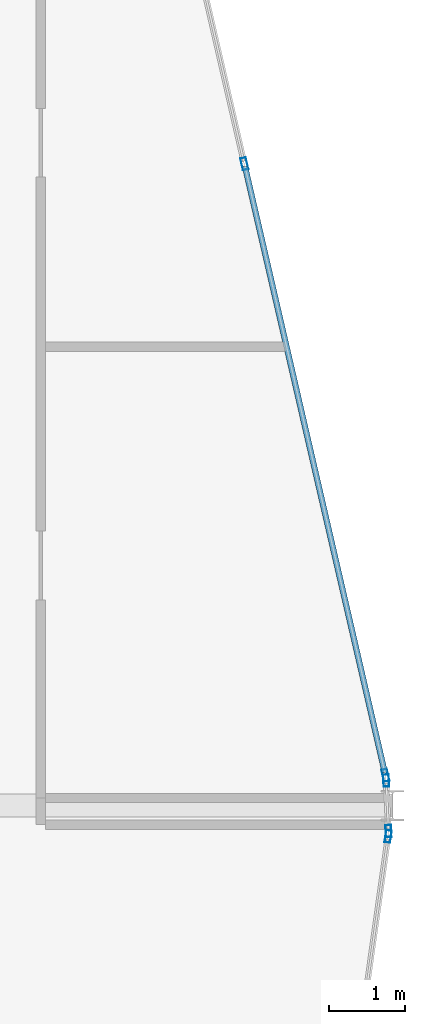
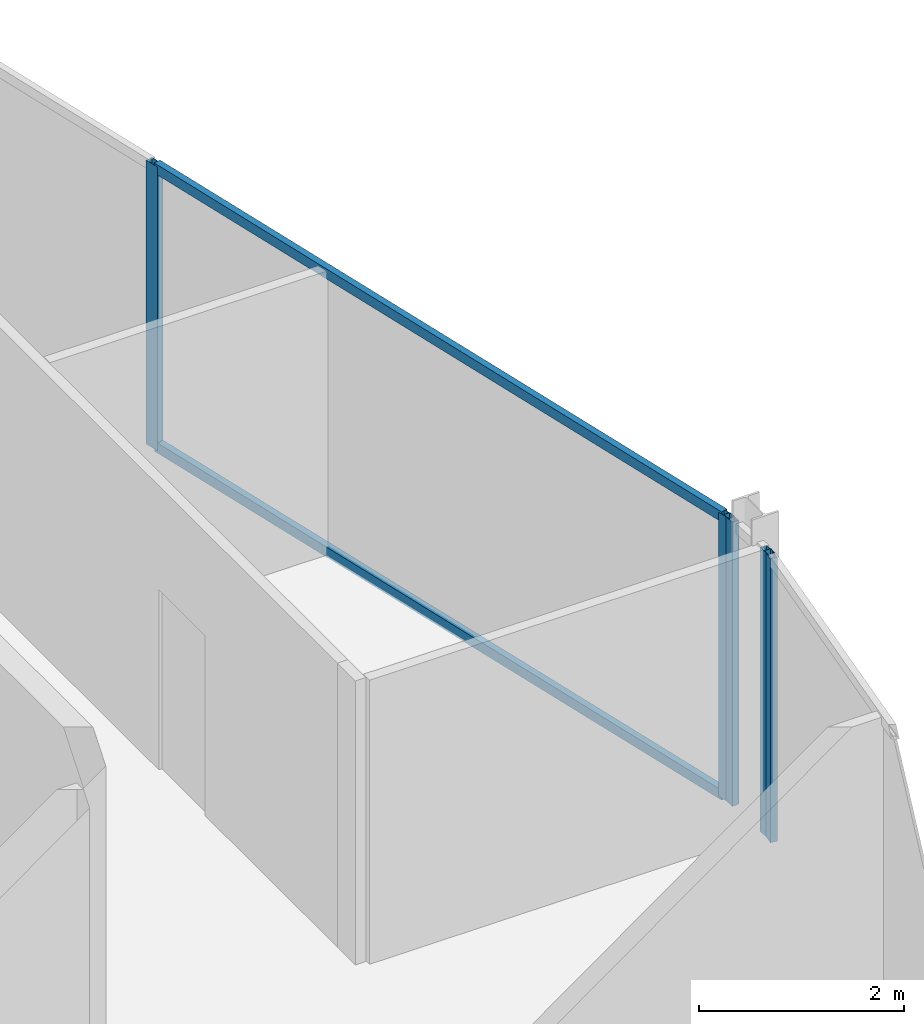
# One storey, part 14 of 27: 7 members, 3 elements without a shape of their own.
"""IFC4 building model written with IfcOpenShell, lengths in metres."""

from ifc_helpers import new_model, si_unit, direction, frame, origin, origin_2d, place, context, subcontext, project, spatial, hollow_rectangle, extrude, material, layer, layer_set, material_profile, profile_set, type_object, element, aggregate, save


model = new_model("IFC4")

# Units and contexts
model_context = context("Model", 3, precision=1e-05, world=origin(), true_north=direction((0.0, 1.0)))
body_context = subcontext(model_context, "Body", "Model", "MODEL_VIEW")
ifc_project = project(units=[si_unit("LENGTHUNIT", "METRE"), si_unit("AREAUNIT", "SQUARE_METRE"), si_unit("VOLUMEUNIT", "CUBIC_METRE"), si_unit("PLANEANGLEUNIT", "RADIAN"), si_unit("MASSUNIT", "GRAM", prefix="KILO")], contexts=[model_context])

# Site, building, storey
site_placement = place(None, origin())
site = spatial("IfcSite", under=ifc_project, at=site_placement, CompositionType="ELEMENT")
building_placement = place(site_placement, origin())
building = spatial("IfcBuilding", under=site, at=building_placement, Name="Keshet Zoharim Tower", CompositionType="ELEMENT")
storey_placement = place(building_placement, frame((0.0, 0.0, 291.699951171875)))
storey = spatial("IfcBuildingStorey", under=building, at=storey_placement, Name="L73", CompositionType="ELEMENT", Elevation=291.699951171875)

# Curtain wall, members
ifc_material = material(Name="Aluminium 6063-T6", Category="aluminium")
ifc_layer = layer(ifc_material, 0.260009765625)
ifc_layer_set = layer_set([ifc_layer], Name="Aluminium 6063-T6")
curtain_wall_type = type_object("IfcCurtainWallType", Name="CW-SYS-06", PredefinedType="NOTDEFINED", material=ifc_layer_set)
curtain_wall_1_placement = place(storey_placement, origin())
curtain_wall_1 = element("IfcCurtainWall", 1, at=curtain_wall_1_placement, inside=storey, type_object=curtain_wall_type, Name="L73 Unitised Curtain Wall 09", PredefinedType="NOTDEFINED")
ifc_material_profile_1 = material_profile(ifc_material, hollow_rectangle(XDim=0.074951171875, YDim=0.159912109375, WallThickness=0.00390625, at=origin_2d()), Name="MUL-75x160")
ifc_profile_set_1 = profile_set([ifc_material_profile_1], Name="Aluminium 6063-T6")
member_type_1 = type_object("IfcMemberType", Name="CWM-M15", PredefinedType="MULLION", material=ifc_profile_set_1)
member_1_placement = place(storey_placement, frame((43.063232421875, 36.291259765625, 0.0), z_axis=(0.0, 0.0, 1.0), x_axis=(0.974398012932, 0.224829963294, 0.0)))
member_1 = element("IfcMember", 2, at=member_1_placement, type_object=member_type_1, Name="CW-06 mullion 3", PredefinedType="MULLION", context=body_context, shape_type="SweptSolid", body=[
    extrude(hollow_rectangle(XDim=0.074951171875, YDim=0.159912109375, WallThickness=0.00390625, at=origin_2d()), origin(), (0.0, 0.0, 1.0), 3.39013671875),
])
member_2_placement = place(storey_placement, frame((44.908203125, 28.296142578125, 0.0), z_axis=(0.0, 0.0, 1.0), x_axis=(0.974398012932, 0.224829963294, 0.0)))
member_2 = element("IfcMember", 3, at=member_2_placement, type_object=member_type_1, Name="CW-06 mullion 4", PredefinedType="MULLION", context=body_context, shape_type="SweptSolid", body=[
    extrude(hollow_rectangle(XDim=0.074951171875, YDim=0.159912109375, WallThickness=0.00390625, at=origin_2d()), origin(), (0.0, 0.0, 1.0), 3.39013671875),
])

curtain_wall_2_placement = place(storey_placement, origin())
curtain_wall_2 = element("IfcCurtainWall", 4, at=curtain_wall_2_placement, inside=storey, type_object=curtain_wall_type, Name="L73 Unitised Curtain Wall 10", PredefinedType="NOTDEFINED")
member_3_placement = place(storey_placement, frame((44.91748046875, 28.22705078125, 0.0), z_axis=(0.0, 0.0, 1.0), x_axis=(0.999040601801, 0.043793560626, 0.0)))
member_3 = element("IfcMember", 5, at=member_3_placement, type_object=member_type_1, Name="CW-06 mullion 1", PredefinedType="MULLION", context=body_context, shape_type="SweptSolid", body=[
    extrude(hollow_rectangle(XDim=0.074951171875, YDim=0.159912109375, WallThickness=0.00390625, at=origin_2d()), origin(), (0.0, 0.0, 1.0), 3.39013671875),
])
member_4_placement = place(storey_placement, frame((44.946533203125, 27.56689453125, 0.0), z_axis=(0.0, 0.0, 1.0), x_axis=(0.999040601801, 0.043793560626, 0.0)))
member_4 = element("IfcMember", 6, at=member_4_placement, type_object=member_type_1, Name="CW-06 mullion 2", PredefinedType="MULLION", context=body_context, shape_type="SweptSolid", body=[
    extrude(hollow_rectangle(XDim=0.074951171875, YDim=0.159912109375, WallThickness=0.00390625, at=origin_2d()), origin(), (0.0, 0.0, 1.0), 3.39013671875),
])
aggregate(curtain_wall_2, [member_3, member_4])

# Curtain wall, member
curtain_wall_3_placement = place(storey_placement, origin())
curtain_wall_3 = element("IfcCurtainWall", 7, at=curtain_wall_3_placement, inside=storey, type_object=curtain_wall_type, Name="L73 Unitised Curtain Wall 11", PredefinedType="NOTDEFINED")
member_5_placement = place(storey_placement, frame((44.943115234375, 27.497314453125, 0.0), z_axis=(0.0, 0.0, 1.0), x_axis=(0.990132057422, -0.140137464177, 0.0)))
member_5 = element("IfcMember", 8, at=member_5_placement, type_object=member_type_1, Name="CW-06 mullion 1", PredefinedType="MULLION", context=body_context, shape_type="SweptSolid", body=[
    extrude(hollow_rectangle(XDim=0.074951171875, YDim=0.159912109375, WallThickness=0.00390625, at=origin_2d()), origin(), (0.0, 0.0, 1.0), 3.39013671875),
])
aggregate(curtain_wall_3, [member_5])

# Member
ifc_material_profile_2 = material_profile(ifc_material, hollow_rectangle(XDim=0.074951171875, YDim=0.1201171875, WallThickness=0.00390625, at=origin_2d()), Name="TRN-75x120")
ifc_profile_set_2 = profile_set([ifc_material_profile_2], Name="Aluminium 6063-T6")
member_type_2 = type_object("IfcMemberType", Name="CWT-T12", PredefinedType="USERDEFINED", material=ifc_profile_set_2)
member_6_placement = place(storey_placement, frame((43.0712890625, 36.25732421875, 0.03515625), z_axis=(0.224806904107, -0.974403333259, 0.0), x_axis=(0.974403333259, 0.224806904107, 0.0)))
member_6 = element("IfcMember", 9, at=member_6_placement, type_object=member_type_2, Name="CW-06 transom 3.1", ObjectType="TRANSOM", PredefinedType="USERDEFINED", context=body_context, shape_type="SweptSolid", body=[
    extrude(hollow_rectangle(XDim=0.074951171875, YDim=0.1201171875, WallThickness=0.00390625, at=origin_2d()), origin(), (0.0, 0.0, 1.0), 8.13525390625),
])

member_7_placement = place(storey_placement, frame((43.0712890625, 36.25732421875, 3.35498046875), z_axis=(0.224806904107, -0.974403333259, 0.0), x_axis=(0.974403333259, 0.224806904107, 0.0)))
member_7 = element("IfcMember", 10, at=member_7_placement, type_object=member_type_2, Name="CW-06 transom 3.2", ObjectType="TRANSOM", PredefinedType="USERDEFINED", context=body_context, shape_type="SweptSolid", body=[
    extrude(hollow_rectangle(XDim=0.074951171875, YDim=0.1201171875, WallThickness=0.00390625, at=origin_2d()), origin(), (0.0, 0.0, 1.0), 8.13525390625),
])

aggregate(curtain_wall_1, [member_1, member_2, member_6, member_7])

save(model, "model.ifc")
